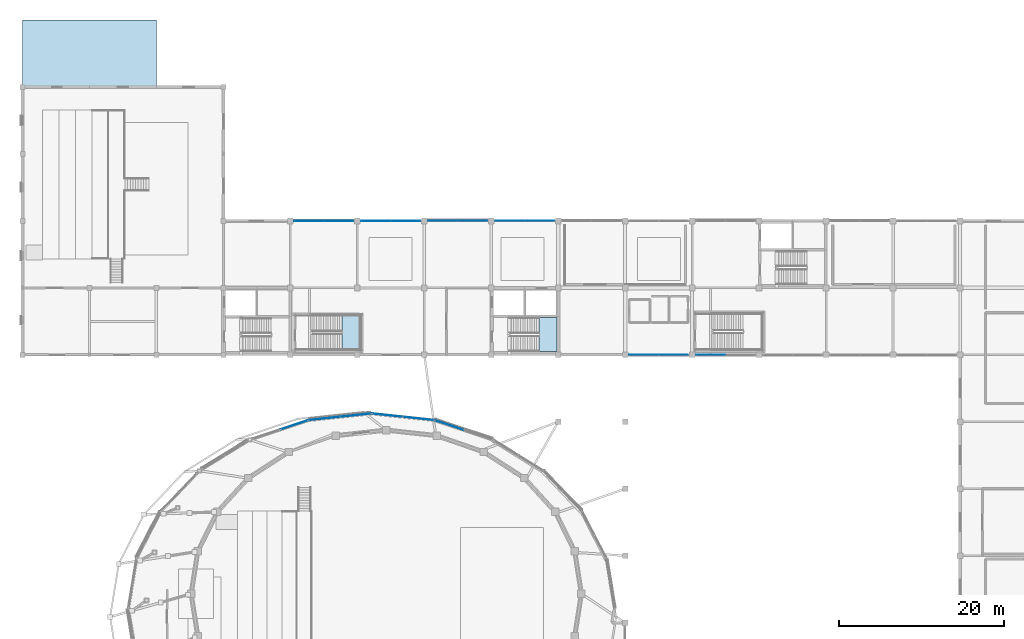
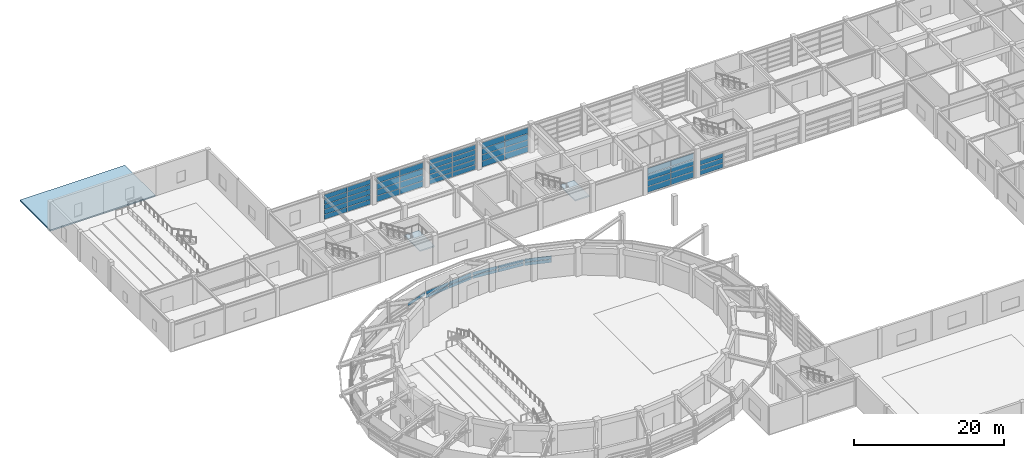
# One storey, part 33 of 56: 58 plates, 3 slabs, 12 elements without a shape of their own.
"""IFC4 building model written with IfcOpenShell, lengths in metres."""

import ifcopenshell
import ifcopenshell.guid

model = None  # the IFC model being written
_history = None  # IfcOwnerHistory: only IFC2X3 demands one
_inside = {}  # id of a spatial element -> (the spatial element, [elements in it])
_under = {}  # id of a project, library or spatial element -> (it, [spatial elements below it])
_declared = {}  # id of a project -> (the project, [libraries it declares])
_typed = {}  # id of a type object -> (the type object, [elements of that type])
_made_of = {}  # id of a material, layer set ... -> (it, [elements and type objects made of it])


def new_model(schema):
    """Start an empty IFC model of exactly this schema.

    Asked for "IFC4X3", IfcOpenShell would pick the latest addendum, in which some entities
    have other attributes; the version numbers below select the first issue.
    IFC2X3 requires an IfcOwnerHistory on every rooted entity: one is made here for all.
    """
    global model, _history
    if schema == "IFC4X3":
        model = ifcopenshell.file(schema_version=(4, 3, 0, 0))
    else:
        model = ifcopenshell.file(schema=schema)
    _inside.clear()
    _under.clear()
    _declared.clear()
    _typed.clear()
    _made_of.clear()
    _history = None
    if model.schema == "IFC2X3":
        org = make("IfcOrganization", Name="unknown")
        user = make(
            "IfcPersonAndOrganization",
            ThePerson=make("IfcPerson", FamilyName="unknown"),
            TheOrganization=org,
        )
        app = make(
            "IfcApplication",
            ApplicationDeveloper=org,
            Version="unknown",
            ApplicationFullName="unknown",
            ApplicationIdentifier="unknown",
        )
        _history = make(
            "IfcOwnerHistory",
            OwningUser=user,
            OwningApplication=app,
            ChangeAction="ADDED",
            CreationDate=0,
        )
    return model


def make(cls, **values):
    """One entity of the class cls with the attributes given. An attribute that is None is left unset."""
    return model.create_entity(
        cls, **{name: value for name, value in values.items() if value is not None}
    )


def rooted(cls, **values):
    """An entity with a GlobalId (a new one), such as an element, a storey or a relation."""
    return make(cls, GlobalId=ifcopenshell.guid.new(), OwnerHistory=_history, **values)


def si_unit(unit_type, name, prefix=None):
    """IfcSIUnit, for example si_unit("LENGTHUNIT", "METRE", prefix="MILLI")."""
    return make("IfcSIUnit", UnitType=unit_type, Prefix=prefix, Name=name)


def assignment(units):
    """IfcUnitAssignment: the units of a project."""
    return None if units is None else make("IfcUnitAssignment", Units=units)


def point(xyz):
    """IfcCartesianPoint."""
    return None if xyz is None else make("IfcCartesianPoint", Coordinates=xyz)


def direction(xyz):
    """IfcDirection."""
    return None if xyz is None else make("IfcDirection", DirectionRatios=xyz)


def frame(location, z_axis=None, x_axis=None):
    """IfcAxis2Placement3D, a coordinate frame: its origin and axes. An axis left out is left unset."""
    return make(
        "IfcAxis2Placement3D",
        Location=point(location),
        Axis=direction(z_axis),
        RefDirection=direction(x_axis),
    )


def frame_2d(location, x_axis=None):
    """IfcAxis2Placement2D, a coordinate frame in the plane: its origin and x axis."""
    return make(
        "IfcAxis2Placement2D", Location=point(location), RefDirection=direction(x_axis)
    )


def origin():
    """The frame at (0, 0, 0) with its axes left unset."""
    return frame((0.0, 0.0, 0.0))


def origin_2d():
    """The frame at (0, 0) in the plane with its x axis left unset."""
    return frame_2d((0.0, 0.0))


def place(relative_to, where):
    """IfcLocalPlacement: puts the frame where relative to a parent placement (None: the world)."""
    return make(
        "IfcLocalPlacement", PlacementRelTo=relative_to, RelativePlacement=where
    )


def context(
    kind, dimensions, precision=None, world=None, true_north=None, identifier=None
):
    """IfcGeometricRepresentationContext, for example the 3D "Model" context."""
    return make(
        "IfcGeometricRepresentationContext",
        ContextIdentifier=identifier,
        ContextType=kind,
        CoordinateSpaceDimension=dimensions,
        Precision=precision,
        WorldCoordinateSystem=world,
        TrueNorth=true_north,
    )


def subcontext(parent, identifier, kind, view, scale=None):
    """IfcGeometricRepresentationSubContext, for example "Body" below "Model"."""
    return make(
        "IfcGeometricRepresentationSubContext",
        ContextIdentifier=identifier,
        ContextType=kind,
        ParentContext=parent,
        TargetScale=scale,
        TargetView=view,
    )


def project(units=None, contexts=None):
    """IfcProject with its units and contexts."""
    return rooted(
        "IfcProject",
        Name="project",
        RepresentationContexts=contexts,
        UnitsInContext=assignment(units),
    )


def spatial(cls, under=None, at=None, **own):
    """A site, building, storey or space (cls), placed at a placement, below another one or the project."""
    s = rooted(cls, ObjectPlacement=at, **own)
    if under is not None:
        _under.setdefault(under.id(), (under, []))[1].append(s)
    return s


def polyline(points):
    """IfcPolyline through the points."""
    return make("IfcPolyline", Points=[point(p) for p in points])


def profile(cls, at=None, kind="AREA", **sizes):
    """A parametric profile (cls). Its sizes go by their IFC names, for example OverallWidth=200.0."""
    return make(cls, ProfileType=kind, Position=at, **sizes)


def rectangle(**sizes):
    """IfcRectangleProfileDef."""
    return profile("IfcRectangleProfileDef", **sizes)


def outline(outer, holes=None, kind="AREA"):
    """IfcArbitraryClosedProfileDef: a profile drawn as a closed curve; with holes, ...WithVoids."""
    if holes is None:
        return make("IfcArbitraryClosedProfileDef", ProfileType=kind, OuterCurve=outer)
    return make(
        "IfcArbitraryProfileDefWithVoids",
        ProfileType=kind,
        OuterCurve=outer,
        InnerCurves=holes,
    )


def extrude(swept, where, along, depth):
    """IfcExtrudedAreaSolid: the profile swept, set in the frame where, extruded along a direction by depth."""
    return make(
        "IfcExtrudedAreaSolid",
        SweptArea=swept,
        Position=where,
        ExtrudedDirection=direction(along),
        Depth=depth,
    )


def shape(context_of_items, identifier, shape_type, items):
    """IfcShapeRepresentation: the items that make up one representation, for example the "Body"."""
    return make(
        "IfcShapeRepresentation",
        ContextOfItems=context_of_items,
        RepresentationIdentifier=identifier,
        RepresentationType=shape_type,
        Items=items,
    )


def material(Name=None, Category=None):
    """IfcMaterial."""
    return make("IfcMaterial", Name=Name, Category=Category)


def layer(
    of_material, thickness, ventilated=None, Name=None, Category=None, Priority=None
):
    """IfcMaterialLayer: one layer of a wall or slab, of a material (None: an air gap)."""
    return make(
        "IfcMaterialLayer",
        Material=of_material,
        LayerThickness=thickness,
        IsVentilated=ventilated,
        Name=Name,
        Category=Category,
        Priority=Priority,
    )


def layer_set(layers, Name=None):
    """IfcMaterialLayerSet."""
    return make("IfcMaterialLayerSet", MaterialLayers=layers, LayerSetName=Name)


def made_of(thing, what):
    """Note that an element or type object is made of a material, layer set ...; save() writes the relation."""
    if what is not None:
        _made_of.setdefault(what.id(), (what, []))[1].append(thing)
    return thing


def type_object(cls, material=None, **own):
    """A type object (cls), such as IfcWallType, which elements share."""
    return made_of(rooted(cls, **own), material)


def element(
    cls,
    number,
    at=None,
    inside=None,
    cuts=None,
    type_object=None,
    material=None,
    context=None,
    identifier="Body",
    shape_type=None,
    held_by="IfcProductDefinitionShape",
    body=None,
    shapes=None,
    **own,
):
    """One element of the class cls, such as IfcWall. Its Tag is "e" and its number.

    at: its placement. inside: the storey or other place that contains it. cuts: it is an
    opening in that element (IfcRelVoidsElement). A single representation is given by context,
    identifier, shape_type and body (its items); several are given by shapes. held_by: the class
    of the entity that holds the representations. save() writes the other relations.
    """
    e = rooted(cls, Tag="e%d" % number, ObjectPlacement=at, **own)
    if body is not None:
        shapes = [shape(context, identifier, shape_type, body)]
    if shapes is not None:
        e.Representation = make(held_by, Representations=shapes)
    if inside is not None:
        _inside.setdefault(inside.id(), (inside, []))[1].append(e)
    if cuts is not None:
        rooted(
            "IfcRelVoidsElement", RelatingBuildingElement=cuts, RelatedOpeningElement=e
        )
    if type_object is not None:
        _typed.setdefault(type_object.id(), (type_object, []))[1].append(e)
    return made_of(e, material)


def aggregate(whole, parts):
    """IfcRelAggregates: a whole, such as a stair, and the parts it consists of."""
    return rooted("IfcRelAggregates", RelatingObject=whole, RelatedObjects=parts)


def save(model, path):
    """Write the relations noted so far, then the file.

    IfcRelAggregates (storeys below a building ...), IfcRelContainedInSpatialStructure (elements
    in a storey), IfcRelDefinesByType, IfcRelAssociatesMaterial and IfcRelDeclares: one each for
    every whole, place, type object, material and project.
    """
    for whole, parts in _under.values():
        aggregate(whole, parts)
    for where, things in _inside.values():
        rooted(
            "IfcRelContainedInSpatialStructure",
            RelatedElements=things,
            RelatingStructure=where,
        )
    for kind, things in _typed.values():
        rooted("IfcRelDefinesByType", RelatedObjects=things, RelatingType=kind)
    for what, things in _made_of.values():
        rooted("IfcRelAssociatesMaterial", RelatedObjects=things, RelatingMaterial=what)
    for by, libraries in _declared.values():
        rooted("IfcRelDeclares", RelatingContext=by, RelatedDefinitions=libraries)
    model.write(path)


model = new_model("IFC4")

# Units and contexts
model_context = context("Model", 3, precision=1e-05, world=origin(), true_north=direction((0.0, 1.0)))
body_context = subcontext(model_context, "Body", "Model", "MODEL_VIEW")
ifc_project = project(units=[si_unit("LENGTHUNIT", "METRE"), si_unit("AREAUNIT", "SQUARE_METRE"), si_unit("VOLUMEUNIT", "CUBIC_METRE"), si_unit("PLANEANGLEUNIT", "RADIAN"), si_unit("MASSUNIT", "GRAM", prefix="KILO")], contexts=[model_context])

# Site, building, storey
site_placement = place(None, origin())
site = spatial("IfcSite", under=ifc_project, at=site_placement, CompositionType="ELEMENT")
building_placement = place(site_placement, origin())
building = spatial("IfcBuilding", under=site, at=building_placement, Name="Parian Resonance Hall", CompositionType="ELEMENT")
storey_placement = place(building_placement, frame((0.0, 0.0, 5.39990234375)))
storey = spatial("IfcBuildingStorey", under=building, at=storey_placement, Name="L01", CompositionType="ELEMENT", Elevation=5.39990234375)

# Curtain wall, plates
ifc_material_1 = material(Name="Bronze-anodised aluminium frame", Category="aluminium")
curtain_wall_type_1 = type_object("IfcCurtainWallType", Name="CW-SYS-06", PredefinedType="NOTDEFINED", material=ifc_material_1)
curtain_wall_1_placement = place(storey_placement, origin())
curtain_wall_1 = element("IfcCurtainWall", 1, at=curtain_wall_1_placement, inside=storey, type_object=curtain_wall_type_1, Name="Elliptical R1 recessed strip curtain wall 06", PredefinedType="NOTDEFINED")
ifc_material_2 = material(Name="Acoustic laminated double glazing", Category="glass")
ifc_layer_1 = layer(ifc_material_2, 0.02197265625)
ifc_layer_set_1 = layer_set([ifc_layer_1], Name="Acoustic laminated double glazing")
plate_type_1 = type_object("IfcPlateType", Name="CWP-IGU22", PredefinedType="CURTAIN_PANEL", material=ifc_layer_set_1)
plate_1_placement = place(storey_placement, frame((44.120849609375, 65.596923828125, 1.217041015625), z_axis=(0.0, 0.0, 1.0), x_axis=(0.994461539769, -0.105101122357, 0.0)))
plate_1 = element("IfcPlate", 2, at=plate_1_placement, type_object=plate_type_1, Name="CW-06 panel 1.1", PredefinedType="CURTAIN_PANEL", context=body_context, shape_type="SweptSolid", body=[
    extrude(rectangle(XDim=3.71337890625, YDim=0.02197265625, at=origin_2d()), origin(), (0.0, 0.0, 1.0), 0.49560546875),
])
plate_2_placement = place(storey_placement, frame((44.120849609375, 65.596923828125, 1.78759765625), z_axis=(0.0, 0.0, 1.0), x_axis=(0.994461539769, -0.105101122357, 0.0)))
plate_2 = element("IfcPlate", 3, at=plate_2_placement, type_object=plate_type_1, Name="CW-06 panel 1.2", PredefinedType="CURTAIN_PANEL", context=body_context, shape_type="SweptSolid", body=[
    extrude(rectangle(XDim=3.71337890625, YDim=0.02197265625, at=origin_2d()), origin(), (0.0, 0.0, 1.0), 0.49755859375),
])
plate_3_placement = place(storey_placement, frame((47.888427734375, 65.19873046875, 1.217041015625), z_axis=(0.0, 0.0, 1.0), x_axis=(0.994461539769, -0.105101122357, 0.0)))
plate_3 = element("IfcPlate", 4, at=plate_3_placement, type_object=plate_type_1, Name="CW-06 panel 2.1", PredefinedType="CURTAIN_PANEL", context=body_context, shape_type="SweptSolid", body=[
    extrude(rectangle(XDim=3.71337890625, YDim=0.02197265625, at=origin_2d()), origin(), (0.0, 0.0, 1.0), 0.49560546875),
])
plate_4_placement = place(storey_placement, frame((47.888427734375, 65.19873046875, 1.78759765625), z_axis=(0.0, 0.0, 1.0), x_axis=(0.994461539769, -0.105101122357, 0.0)))
plate_4 = element("IfcPlate", 5, at=plate_4_placement, type_object=plate_type_1, Name="CW-06 panel 2.2", PredefinedType="CURTAIN_PANEL", context=body_context, shape_type="SweptSolid", body=[
    extrude(rectangle(XDim=3.71337890625, YDim=0.02197265625, at=origin_2d()), origin(), (0.0, 0.0, 1.0), 0.49755859375),
])
aggregate(curtain_wall_1, [plate_1, plate_2, plate_3, plate_4])

ifc_material_3 = material(Name="Bronze-anodised aluminium frame", Category="aluminium")
curtain_wall_type_2 = type_object("IfcCurtainWallType", Name="CW-SYS-02", PredefinedType="NOTDEFINED", material=ifc_material_3)
curtain_wall_2_placement = place(storey_placement, origin())
curtain_wall_2 = element("IfcCurtainWall", 6, at=curtain_wall_2_placement, inside=storey, type_object=curtain_wall_type_2, Name="Curtain wall CW-L01-084", PredefinedType="NOTDEFINED")
plate_5_placement = place(storey_placement, frame((50.858642578125, 89.10009765625, 0.06689453125), z_axis=(0.0, 0.0, 1.0), x_axis=(1.0, 0.0, 0.0)))
plate_5 = element("IfcPlate", 7, at=plate_5_placement, type_object=plate_type_1, Name="CW-02 panel 1.1", PredefinedType="CURTAIN_PANEL", context=body_context, shape_type="SweptSolid", body=[
    extrude(rectangle(XDim=3.507568359375, YDim=0.02197265625, at=origin_2d()), origin(), (0.0, 0.0, 1.0), 0.722900390625),
])
plate_6_placement = place(storey_placement, frame((50.858642578125, 89.10009765625, 0.864990234375), z_axis=(0.0, 0.0, 1.0), x_axis=(1.0, 0.0, 0.0)))
plate_6 = element("IfcPlate", 8, at=plate_6_placement, type_object=plate_type_1, Name="CW-02 panel 1.2", PredefinedType="CURTAIN_PANEL", context=body_context, shape_type="SweptSolid", body=[
    extrude(rectangle(XDim=3.507568359375, YDim=0.02197265625, at=origin_2d()), origin(), (0.0, 0.0, 1.0), 0.75244140625),
])
plate_7_placement = place(storey_placement, frame((50.858642578125, 89.10009765625, 1.6923828125), z_axis=(0.0, 0.0, 1.0), x_axis=(1.0, 0.0, 0.0)))
plate_7 = element("IfcPlate", 9, at=plate_7_placement, type_object=plate_type_1, Name="CW-02 panel 1.3", PredefinedType="CURTAIN_PANEL", context=body_context, shape_type="SweptSolid", body=[
    extrude(rectangle(XDim=3.507568359375, YDim=0.02197265625, at=origin_2d()), origin(), (0.0, 0.0, 1.0), 0.75244140625),
])
plate_8_placement = place(storey_placement, frame((50.858642578125, 89.10009765625, 2.519775390625), z_axis=(0.0, 0.0, 1.0), x_axis=(1.0, 0.0, 0.0)))
plate_8 = element("IfcPlate", 10, at=plate_8_placement, type_object=plate_type_1, Name="CW-02 panel 1.4", PredefinedType="CURTAIN_PANEL", context=body_context, shape_type="SweptSolid", body=[
    extrude(rectangle(XDim=3.507568359375, YDim=0.02197265625, at=origin_2d()), origin(), (0.0, 0.0, 1.0), 0.75244140625),
])
plate_9_placement = place(storey_placement, frame((50.858642578125, 89.10009765625, 3.34716796875), z_axis=(0.0, 0.0, 1.0), x_axis=(1.0, 0.0, 0.0)))
plate_9 = element("IfcPlate", 11, at=plate_9_placement, type_object=plate_type_1, Name="CW-02 panel 1.5", PredefinedType="CURTAIN_PANEL", context=body_context, shape_type="SweptSolid", body=[
    extrude(rectangle(XDim=3.507568359375, YDim=0.02197265625, at=origin_2d()), origin(), (0.0, 0.0, 1.0), 0.724853515625),
])
plate_10_placement = place(storey_placement, frame((54.441162109375, 89.10009765625, 0.06689453125), z_axis=(0.0, 0.0, 1.0), x_axis=(1.0, 0.0, 0.0)))
plate_10 = element("IfcPlate", 12, at=plate_10_placement, type_object=plate_type_1, Name="CW-02 panel 2.1", PredefinedType="CURTAIN_PANEL", context=body_context, shape_type="SweptSolid", body=[
    extrude(rectangle(XDim=3.507568359375, YDim=0.02197265625, at=origin_2d()), origin(), (0.0, 0.0, 1.0), 0.722900390625),
])
plate_11_placement = place(storey_placement, frame((54.441162109375, 89.10009765625, 0.864990234375), z_axis=(0.0, 0.0, 1.0), x_axis=(1.0, 0.0, 0.0)))
plate_11 = element("IfcPlate", 13, at=plate_11_placement, type_object=plate_type_1, Name="CW-02 panel 2.2", PredefinedType="CURTAIN_PANEL", context=body_context, shape_type="SweptSolid", body=[
    extrude(rectangle(XDim=3.507568359375, YDim=0.02197265625, at=origin_2d()), origin(), (0.0, 0.0, 1.0), 0.75244140625),
])
plate_12_placement = place(storey_placement, frame((54.441162109375, 89.10009765625, 1.6923828125), z_axis=(0.0, 0.0, 1.0), x_axis=(1.0, 0.0, 0.0)))
plate_12 = element("IfcPlate", 14, at=plate_12_placement, type_object=plate_type_1, Name="CW-02 panel 2.3", PredefinedType="CURTAIN_PANEL", context=body_context, shape_type="SweptSolid", body=[
    extrude(rectangle(XDim=3.507568359375, YDim=0.02197265625, at=origin_2d()), origin(), (0.0, 0.0, 1.0), 0.75244140625),
])
plate_13_placement = place(storey_placement, frame((54.441162109375, 89.10009765625, 2.519775390625), z_axis=(0.0, 0.0, 1.0), x_axis=(1.0, 0.0, 0.0)))
plate_13 = element("IfcPlate", 15, at=plate_13_placement, type_object=plate_type_1, Name="CW-02 panel 2.4", PredefinedType="CURTAIN_PANEL", context=body_context, shape_type="SweptSolid", body=[
    extrude(rectangle(XDim=3.507568359375, YDim=0.02197265625, at=origin_2d()), origin(), (0.0, 0.0, 1.0), 0.75244140625),
])
plate_14_placement = place(storey_placement, frame((54.441162109375, 89.10009765625, 3.34716796875), z_axis=(0.0, 0.0, 1.0), x_axis=(1.0, 0.0, 0.0)))
plate_14 = element("IfcPlate", 16, at=plate_14_placement, type_object=plate_type_1, Name="CW-02 panel 2.5", PredefinedType="CURTAIN_PANEL", context=body_context, shape_type="SweptSolid", body=[
    extrude(rectangle(XDim=3.507568359375, YDim=0.02197265625, at=origin_2d()), origin(), (0.0, 0.0, 1.0), 0.724853515625),
])
aggregate(curtain_wall_2, [plate_5, plate_6, plate_7, plate_8, plate_9, plate_10, plate_11, plate_12, plate_13, plate_14])

ifc_material_4 = material(Name="Bronze-anodised aluminium frame", Category="aluminium")
curtain_wall_type_3 = type_object("IfcCurtainWallType", Name="CW-SYS-03", PredefinedType="NOTDEFINED", material=ifc_material_4)
curtain_wall_3_placement = place(storey_placement, origin())
curtain_wall_3 = element("IfcCurtainWall", 17, at=curtain_wall_3_placement, inside=storey, type_object=curtain_wall_type_3, Name="Curtain wall CW-L01-087", PredefinedType="NOTDEFINED")
plate_15_placement = place(storey_placement, frame((58.956298828125, 89.10009765625, 0.05712890625), z_axis=(0.0, 0.0, 1.0), x_axis=(1.0, 0.0, 0.0)))
plate_15 = element("IfcPlate", 18, at=plate_15_placement, type_object=plate_type_1, Name="CW-03 panel 1.1", PredefinedType="CURTAIN_PANEL", context=body_context, shape_type="SweptSolid", body=[
    extrude(rectangle(XDim=3.5224609375, YDim=0.02197265625, at=origin_2d()), origin(), (0.0, 0.0, 1.0), 0.931884765625),
])
plate_16_placement = place(storey_placement, frame((58.956298828125, 89.10009765625, 1.0537109375), z_axis=(0.0, 0.0, 1.0), x_axis=(1.0, 0.0, 0.0)))
plate_16 = element("IfcPlate", 19, at=plate_16_placement, type_object=plate_type_1, Name="CW-03 panel 1.2", PredefinedType="CURTAIN_PANEL", context=body_context, shape_type="SweptSolid", body=[
    extrude(rectangle(XDim=3.5224609375, YDim=0.02197265625, at=origin_2d()), origin(), (0.0, 0.0, 1.0), 0.956298828125),
])
plate_17_placement = place(storey_placement, frame((58.956298828125, 89.10009765625, 2.0751953125), z_axis=(0.0, 0.0, 1.0), x_axis=(1.0, 0.0, 0.0)))
plate_17 = element("IfcPlate", 20, at=plate_17_placement, type_object=plate_type_1, Name="CW-03 panel 1.3", PredefinedType="CURTAIN_PANEL", context=body_context, shape_type="SweptSolid", body=[
    extrude(rectangle(XDim=3.5224609375, YDim=0.02197265625, at=origin_2d()), origin(), (0.0, 0.0, 1.0), 0.956298828125),
])
plate_18_placement = place(storey_placement, frame((58.956298828125, 89.10009765625, 3.09619140625), z_axis=(0.0, 0.0, 1.0), x_axis=(1.0, 0.0, 0.0)))
plate_18 = element("IfcPlate", 21, at=plate_18_placement, type_object=plate_type_1, Name="CW-03 panel 1.4", PredefinedType="CURTAIN_PANEL", context=body_context, shape_type="SweptSolid", body=[
    extrude(rectangle(XDim=3.5224609375, YDim=0.02197265625, at=origin_2d()), origin(), (0.0, 0.0, 1.0), 0.933837890625),
])
plate_19_placement = place(storey_placement, frame((62.543701171875, 89.10009765625, 0.05712890625), z_axis=(0.0, 0.0, 1.0), x_axis=(1.0, 0.0, 0.0)))
plate_19 = element("IfcPlate", 22, at=plate_19_placement, type_object=plate_type_1, Name="CW-03 panel 2.1", PredefinedType="CURTAIN_PANEL", context=body_context, shape_type="SweptSolid", body=[
    extrude(rectangle(XDim=3.5224609375, YDim=0.02197265625, at=origin_2d()), origin(), (0.0, 0.0, 1.0), 0.931884765625),
])
plate_20_placement = place(storey_placement, frame((62.543701171875, 89.10009765625, 1.0537109375), z_axis=(0.0, 0.0, 1.0), x_axis=(1.0, 0.0, 0.0)))
plate_20 = element("IfcPlate", 23, at=plate_20_placement, type_object=plate_type_1, Name="CW-03 panel 2.2", PredefinedType="CURTAIN_PANEL", context=body_context, shape_type="SweptSolid", body=[
    extrude(rectangle(XDim=3.5224609375, YDim=0.02197265625, at=origin_2d()), origin(), (0.0, 0.0, 1.0), 0.956298828125),
])
plate_21_placement = place(storey_placement, frame((62.543701171875, 89.10009765625, 2.0751953125), z_axis=(0.0, 0.0, 1.0), x_axis=(1.0, 0.0, 0.0)))
plate_21 = element("IfcPlate", 24, at=plate_21_placement, type_object=plate_type_1, Name="CW-03 panel 2.3", PredefinedType="CURTAIN_PANEL", context=body_context, shape_type="SweptSolid", body=[
    extrude(rectangle(XDim=3.5224609375, YDim=0.02197265625, at=origin_2d()), origin(), (0.0, 0.0, 1.0), 0.956298828125),
])
plate_22_placement = place(storey_placement, frame((62.543701171875, 89.10009765625, 3.09619140625), z_axis=(0.0, 0.0, 1.0), x_axis=(1.0, 0.0, 0.0)))
plate_22 = element("IfcPlate", 25, at=plate_22_placement, type_object=plate_type_1, Name="CW-03 panel 2.4", PredefinedType="CURTAIN_PANEL", context=body_context, shape_type="SweptSolid", body=[
    extrude(rectangle(XDim=3.5224609375, YDim=0.02197265625, at=origin_2d()), origin(), (0.0, 0.0, 1.0), 0.933837890625),
])
aggregate(curtain_wall_3, [plate_15, plate_16, plate_17, plate_18, plate_19, plate_20, plate_21, plate_22])

ifc_material_5 = material(Name="Bronze-anodised aluminium frame", Category="aluminium")
curtain_wall_type_4 = type_object("IfcCurtainWallType", Name="CW-SYS-01", PredefinedType="NOTDEFINED", material=ifc_material_5)
curtain_wall_4_placement = place(storey_placement, origin())
curtain_wall_4 = element("IfcCurtainWall", 26, at=curtain_wall_4_placement, inside=storey, type_object=curtain_wall_type_4, Name="Elliptical R1 recessed strip curtain wall 07", PredefinedType="NOTDEFINED")
ifc_material_6 = material(Name="Acoustic laminated double glazing", Category="glass")
ifc_layer_2 = layer(ifc_material_6, 0.031982421875)
ifc_layer_set_2 = layer_set([ifc_layer_2], Name="Acoustic laminated double glazing")
plate_type_2 = type_object("IfcPlateType", Name="CWP-IGU32", PredefinedType="CURTAIN_PANEL", material=ifc_layer_set_2)
plate_23_placement = place(storey_placement, frame((36.50927734375, 65.198486328125, 1.20703125), z_axis=(0.0, 0.0, 1.0), x_axis=(0.994461539769, 0.105101122357, 0.0)))
plate_23 = element("IfcPlate", 27, at=plate_23_placement, type_object=plate_type_2, Name="CW-01 panel 1.1", PredefinedType="CURTAIN_PANEL", context=body_context, shape_type="SweptSolid", body=[
    extrude(rectangle(XDim=3.728271484375, YDim=0.031982421875, at=origin_2d()), origin(), (0.0, 0.0, 1.0), 0.510498046875),
])
plate_24_placement = place(storey_placement, frame((36.50927734375, 65.198486328125, 1.78271484375), z_axis=(0.0, 0.0, 1.0), x_axis=(0.994461539769, 0.105101122357, 0.0)))
plate_24 = element("IfcPlate", 28, at=plate_24_placement, type_object=plate_type_2, Name="CW-01 panel 1.2", PredefinedType="CURTAIN_PANEL", context=body_context, shape_type="SweptSolid", body=[
    extrude(rectangle(XDim=3.728271484375, YDim=0.031982421875, at=origin_2d()), origin(), (0.0, 0.0, 1.0), 0.512451171875),
])
plate_25_placement = place(storey_placement, frame((40.281494140625, 65.59716796875, 1.20703125), z_axis=(0.0, 0.0, 1.0), x_axis=(0.994461539769, 0.105101122357, 0.0)))
plate_25 = element("IfcPlate", 29, at=plate_25_placement, type_object=plate_type_2, Name="CW-01 panel 2.1", PredefinedType="CURTAIN_PANEL", context=body_context, shape_type="SweptSolid", body=[
    extrude(rectangle(XDim=3.728271484375, YDim=0.031982421875, at=origin_2d()), origin(), (0.0, 0.0, 1.0), 0.510498046875),
])
plate_26_placement = place(storey_placement, frame((40.281494140625, 65.59716796875, 1.78271484375), z_axis=(0.0, 0.0, 1.0), x_axis=(0.994461539769, 0.105101122357, 0.0)))
plate_26 = element("IfcPlate", 30, at=plate_26_placement, type_object=plate_type_2, Name="CW-01 panel 2.2", PredefinedType="CURTAIN_PANEL", context=body_context, shape_type="SweptSolid", body=[
    extrude(rectangle(XDim=3.728271484375, YDim=0.031982421875, at=origin_2d()), origin(), (0.0, 0.0, 1.0), 0.512451171875),
])
aggregate(curtain_wall_4, [plate_23, plate_24, plate_25, plate_26])

curtain_wall_5_placement = place(storey_placement, origin())
curtain_wall_5 = element("IfcCurtainWall", 31, at=curtain_wall_5_placement, inside=storey, type_object=curtain_wall_type_1, Name="Curtain wall CW-L01-106", PredefinedType="NOTDEFINED")
plate_27_placement = place(storey_placement, frame((78.7412109375, 72.89990234375, 0.06689453125), z_axis=(0.0, 0.0, 1.0), x_axis=(-1.0, 0.0, 0.0)))
plate_27 = element("IfcPlate", 32, at=plate_27_placement, type_object=plate_type_2, Name="CW-06 panel 1.1", PredefinedType="CURTAIN_PANEL", context=body_context, shape_type="SweptSolid", body=[
    extrude(rectangle(XDim=3.507568359375, YDim=0.031982421875, at=origin_2d()), origin(), (0.0, 0.0, 1.0), 0.916748046875),
])
plate_28_placement = place(storey_placement, frame((78.7412109375, 72.89990234375, 1.058837890625), z_axis=(0.0, 0.0, 1.0), x_axis=(-1.0, 0.0, 0.0)))
plate_28 = element("IfcPlate", 33, at=plate_28_placement, type_object=plate_type_2, Name="CW-06 panel 1.2", PredefinedType="CURTAIN_PANEL", context=body_context, shape_type="SweptSolid", body=[
    extrude(rectangle(XDim=3.507568359375, YDim=0.031982421875, at=origin_2d()), origin(), (0.0, 0.0, 1.0), 0.9462890625),
])
plate_29_placement = place(storey_placement, frame((78.7412109375, 72.89990234375, 2.080078125), z_axis=(0.0, 0.0, 1.0), x_axis=(-1.0, 0.0, 0.0)))
plate_29 = element("IfcPlate", 34, at=plate_29_placement, type_object=plate_type_2, Name="CW-06 panel 1.3", PredefinedType="CURTAIN_PANEL", context=body_context, shape_type="SweptSolid", body=[
    extrude(rectangle(XDim=3.507568359375, YDim=0.031982421875, at=origin_2d()), origin(), (0.0, 0.0, 1.0), 0.9462890625),
])
plate_30_placement = place(storey_placement, frame((78.7412109375, 72.89990234375, 3.1015625), z_axis=(0.0, 0.0, 1.0), x_axis=(-1.0, 0.0, 0.0)))
plate_30 = element("IfcPlate", 35, at=plate_30_placement, type_object=plate_type_2, Name="CW-06 panel 1.4", PredefinedType="CURTAIN_PANEL", context=body_context, shape_type="SweptSolid", body=[
    extrude(rectangle(XDim=3.507568359375, YDim=0.031982421875, at=origin_2d()), origin(), (0.0, 0.0, 1.0), 0.918701171875),
])
plate_31_placement = place(storey_placement, frame((75.15869140625, 72.89990234375, 0.06689453125), z_axis=(0.0, 0.0, 1.0), x_axis=(-1.0, 0.0, 0.0)))
plate_31 = element("IfcPlate", 36, at=plate_31_placement, type_object=plate_type_2, Name="CW-06 panel 2.1", PredefinedType="CURTAIN_PANEL", context=body_context, shape_type="SweptSolid", body=[
    extrude(rectangle(XDim=3.507568359375, YDim=0.031982421875, at=origin_2d()), origin(), (0.0, 0.0, 1.0), 0.916748046875),
])
plate_32_placement = place(storey_placement, frame((75.15869140625, 72.89990234375, 1.058837890625), z_axis=(0.0, 0.0, 1.0), x_axis=(-1.0, 0.0, 0.0)))
plate_32 = element("IfcPlate", 37, at=plate_32_placement, type_object=plate_type_2, Name="CW-06 panel 2.2", PredefinedType="CURTAIN_PANEL", context=body_context, shape_type="SweptSolid", body=[
    extrude(rectangle(XDim=3.507568359375, YDim=0.031982421875, at=origin_2d()), origin(), (0.0, 0.0, 1.0), 0.9462890625),
])
plate_33_placement = place(storey_placement, frame((75.15869140625, 72.89990234375, 2.080078125), z_axis=(0.0, 0.0, 1.0), x_axis=(-1.0, 0.0, 0.0)))
plate_33 = element("IfcPlate", 38, at=plate_33_placement, type_object=plate_type_2, Name="CW-06 panel 2.3", PredefinedType="CURTAIN_PANEL", context=body_context, shape_type="SweptSolid", body=[
    extrude(rectangle(XDim=3.507568359375, YDim=0.031982421875, at=origin_2d()), origin(), (0.0, 0.0, 1.0), 0.9462890625),
])
plate_34_placement = place(storey_placement, frame((75.15869140625, 72.89990234375, 3.1015625), z_axis=(0.0, 0.0, 1.0), x_axis=(-1.0, 0.0, 0.0)))
plate_34 = element("IfcPlate", 39, at=plate_34_placement, type_object=plate_type_2, Name="CW-06 panel 2.4", PredefinedType="CURTAIN_PANEL", context=body_context, shape_type="SweptSolid", body=[
    extrude(rectangle(XDim=3.507568359375, YDim=0.031982421875, at=origin_2d()), origin(), (0.0, 0.0, 1.0), 0.918701171875),
])
aggregate(curtain_wall_5, [plate_27, plate_28, plate_29, plate_30, plate_31, plate_32, plate_33, plate_34])

curtain_wall_6_placement = place(storey_placement, origin())
curtain_wall_6 = element("IfcCurtainWall", 40, at=curtain_wall_6_placement, inside=storey, type_object=curtain_wall_type_4, Name="Curtain wall CW-L01-112", PredefinedType="NOTDEFINED")
plate_35_placement = place(storey_placement, frame((83.2587890625, 72.89990234375, 0.06689453125), z_axis=(0.0, 0.0, 1.0), x_axis=(-1.0, 0.0, 0.0)))
plate_35 = element("IfcPlate", 41, at=plate_35_placement, type_object=plate_type_2, Name="CW-01 panel 2.1", PredefinedType="CURTAIN_PANEL", context=body_context, shape_type="SweptSolid", body=[
    extrude(rectangle(XDim=3.507568359375, YDim=0.031982421875, at=origin_2d()), origin(), (0.0, 0.0, 1.0), 0.722900390625),
])
plate_36_placement = place(storey_placement, frame((83.2587890625, 72.89990234375, 0.864990234375), z_axis=(0.0, 0.0, 1.0), x_axis=(-1.0, 0.0, 0.0)))
plate_36 = element("IfcPlate", 42, at=plate_36_placement, type_object=plate_type_2, Name="CW-01 panel 2.2", PredefinedType="CURTAIN_PANEL", context=body_context, shape_type="SweptSolid", body=[
    extrude(rectangle(XDim=3.507568359375, YDim=0.031982421875, at=origin_2d()), origin(), (0.0, 0.0, 1.0), 0.75244140625),
])
plate_37_placement = place(storey_placement, frame((83.2587890625, 72.89990234375, 1.6923828125), z_axis=(0.0, 0.0, 1.0), x_axis=(-1.0, 0.0, 0.0)))
plate_37 = element("IfcPlate", 43, at=plate_37_placement, type_object=plate_type_2, Name="CW-01 panel 2.3", PredefinedType="CURTAIN_PANEL", context=body_context, shape_type="SweptSolid", body=[
    extrude(rectangle(XDim=3.507568359375, YDim=0.031982421875, at=origin_2d()), origin(), (0.0, 0.0, 1.0), 0.75244140625),
])
aggregate(curtain_wall_6, [plate_35, plate_36, plate_37])

ifc_material_7 = material(Name="Bronze-anodised aluminium frame", Category="aluminium")
curtain_wall_type_5 = type_object("IfcCurtainWallType", Name="CW-SYS-05", PredefinedType="NOTDEFINED", material=ifc_material_7)
curtain_wall_7_placement = place(storey_placement, origin())
curtain_wall_7 = element("IfcCurtainWall", 44, at=curtain_wall_7_placement, inside=storey, type_object=curtain_wall_type_5, Name="Elliptical R1 recessed strip curtain wall 05", PredefinedType="NOTDEFINED")
ifc_material_8 = material(Name="Acoustic laminated double glazing", Category="glass")
ifc_layer_3 = layer(ifc_material_8, 0.0419921875)
ifc_layer_set_3 = layer_set([ifc_layer_3], Name="Acoustic laminated double glazing")
plate_type_3 = type_object("IfcPlateType", Name="CWP-IGU42", PredefinedType="CURTAIN_PANEL", material=ifc_layer_set_3)
plate_38_placement = place(storey_placement, frame((51.597412109375, 64.4013671875, 1.20703125), z_axis=(0.0, 0.0, 1.0), x_axis=(0.948922575043, -0.315509027722, 0.0)))
plate_38 = element("IfcPlate", 45, at=plate_38_placement, type_object=plate_type_3, Name="CW-05 panel 1.1", PredefinedType="CURTAIN_PANEL", context=body_context, shape_type="SweptSolid", body=[
    extrude(rectangle(XDim=3.638671875, YDim=0.0419921875, at=origin_2d()), origin(), (0.0, 0.0, 1.0), 0.510498046875),
])
plate_39_placement = place(storey_placement, frame((51.597412109375, 64.4013671875, 1.78271484375), z_axis=(0.0, 0.0, 1.0), x_axis=(0.948922575043, -0.315509027722, 0.0)))
plate_39 = element("IfcPlate", 46, at=plate_39_placement, type_object=plate_type_3, Name="CW-05 panel 1.2", PredefinedType="CURTAIN_PANEL", context=body_context, shape_type="SweptSolid", body=[
    extrude(rectangle(XDim=3.638671875, YDim=0.0419921875, at=origin_2d()), origin(), (0.0, 0.0, 1.0), 0.512451171875),
])
aggregate(curtain_wall_7, [plate_38, plate_39])

# Curtain wall, plate
curtain_wall_8_placement = place(storey_placement, origin())
curtain_wall_8 = element("IfcCurtainWall", 47, at=curtain_wall_8_placement, inside=storey, type_object=curtain_wall_type_2, Name="Elliptical R1 recessed strip curtain wall 08", PredefinedType="NOTDEFINED")
plate_40_placement = place(storey_placement, frame((32.87744140625, 64.426025390625, 1.78759765625), z_axis=(0.0, 0.0, 1.0), x_axis=(0.948923675154, 0.315505719015, 0.0)))
plate_40 = element("IfcPlate", 48, at=plate_40_placement, type_object=plate_type_3, Name="CW-02 panel 2.2", PredefinedType="CURTAIN_PANEL", context=body_context, shape_type="SweptSolid", body=[
    extrude(rectangle(XDim=3.461181640625, YDim=0.0419921875, at=origin_2d()), origin(), (0.0, 0.0, 1.0), 0.49755859375),
])
aggregate(curtain_wall_8, [plate_40])

# Curtain wall, plates
curtain_wall_9_placement = place(storey_placement, origin())
curtain_wall_9 = element("IfcCurtainWall", 49, at=curtain_wall_9_placement, inside=storey, type_object=curtain_wall_type_1, Name="Curtain wall CW-L01-077", PredefinedType="NOTDEFINED")
plate_41_placement = place(storey_placement, frame((34.65625, 89.10009765625, 0.05712890625), z_axis=(0.0, 0.0, 1.0), x_axis=(1.0, 0.0, 0.0)))
plate_41 = element("IfcPlate", 50, at=plate_41_placement, type_object=plate_type_3, Name="CW-06 panel 1.1", PredefinedType="CURTAIN_PANEL", context=body_context, shape_type="SweptSolid", body=[
    extrude(rectangle(XDim=3.5224609375, YDim=0.0419921875, at=origin_2d()), origin(), (0.0, 0.0, 1.0), 0.73779296875),
])
plate_42_placement = place(storey_placement, frame((34.65625, 89.10009765625, 0.85986328125), z_axis=(0.0, 0.0, 1.0), x_axis=(1.0, 0.0, 0.0)))
plate_42 = element("IfcPlate", 51, at=plate_42_placement, type_object=plate_type_3, Name="CW-06 panel 1.2", PredefinedType="CURTAIN_PANEL", context=body_context, shape_type="SweptSolid", body=[
    extrude(rectangle(XDim=3.5224609375, YDim=0.0419921875, at=origin_2d()), origin(), (0.0, 0.0, 1.0), 0.762451171875),
])
plate_43_placement = place(storey_placement, frame((34.65625, 89.10009765625, 1.6875), z_axis=(0.0, 0.0, 1.0), x_axis=(1.0, 0.0, 0.0)))
plate_43 = element("IfcPlate", 52, at=plate_43_placement, type_object=plate_type_3, Name="CW-06 panel 1.3", PredefinedType="CURTAIN_PANEL", context=body_context, shape_type="SweptSolid", body=[
    extrude(rectangle(XDim=3.5224609375, YDim=0.0419921875, at=origin_2d()), origin(), (0.0, 0.0, 1.0), 0.762451171875),
])
plate_44_placement = place(storey_placement, frame((34.65625, 89.10009765625, 2.5146484375), z_axis=(0.0, 0.0, 1.0), x_axis=(1.0, 0.0, 0.0)))
plate_44 = element("IfcPlate", 53, at=plate_44_placement, type_object=plate_type_3, Name="CW-06 panel 1.4", PredefinedType="CURTAIN_PANEL", context=body_context, shape_type="SweptSolid", body=[
    extrude(rectangle(XDim=3.5224609375, YDim=0.0419921875, at=origin_2d()), origin(), (0.0, 0.0, 1.0), 0.762451171875),
])
plate_45_placement = place(storey_placement, frame((34.65625, 89.10009765625, 3.34228515625), z_axis=(0.0, 0.0, 1.0), x_axis=(1.0, 0.0, 0.0)))
plate_45 = element("IfcPlate", 54, at=plate_45_placement, type_object=plate_type_3, Name="CW-06 panel 1.5", PredefinedType="CURTAIN_PANEL", context=body_context, shape_type="SweptSolid", body=[
    extrude(rectangle(XDim=3.5224609375, YDim=0.0419921875, at=origin_2d()), origin(), (0.0, 0.0, 1.0), 0.739990234375),
])
plate_46_placement = place(storey_placement, frame((38.24365234375, 89.10009765625, 0.05712890625), z_axis=(0.0, 0.0, 1.0), x_axis=(1.0, 0.0, 0.0)))
plate_46 = element("IfcPlate", 55, at=plate_46_placement, type_object=plate_type_3, Name="CW-06 panel 2.1", PredefinedType="CURTAIN_PANEL", context=body_context, shape_type="SweptSolid", body=[
    extrude(rectangle(XDim=3.5224609375, YDim=0.0419921875, at=origin_2d()), origin(), (0.0, 0.0, 1.0), 0.73779296875),
])
plate_47_placement = place(storey_placement, frame((38.24365234375, 89.10009765625, 0.85986328125), z_axis=(0.0, 0.0, 1.0), x_axis=(1.0, 0.0, 0.0)))
plate_47 = element("IfcPlate", 56, at=plate_47_placement, type_object=plate_type_3, Name="CW-06 panel 2.2", PredefinedType="CURTAIN_PANEL", context=body_context, shape_type="SweptSolid", body=[
    extrude(rectangle(XDim=3.5224609375, YDim=0.0419921875, at=origin_2d()), origin(), (0.0, 0.0, 1.0), 0.762451171875),
])
plate_48_placement = place(storey_placement, frame((38.24365234375, 89.10009765625, 1.6875), z_axis=(0.0, 0.0, 1.0), x_axis=(1.0, 0.0, 0.0)))
plate_48 = element("IfcPlate", 57, at=plate_48_placement, type_object=plate_type_3, Name="CW-06 panel 2.3", PredefinedType="CURTAIN_PANEL", context=body_context, shape_type="SweptSolid", body=[
    extrude(rectangle(XDim=3.5224609375, YDim=0.0419921875, at=origin_2d()), origin(), (0.0, 0.0, 1.0), 0.762451171875),
])
plate_49_placement = place(storey_placement, frame((38.24365234375, 89.10009765625, 2.5146484375), z_axis=(0.0, 0.0, 1.0), x_axis=(1.0, 0.0, 0.0)))
plate_49 = element("IfcPlate", 58, at=plate_49_placement, type_object=plate_type_3, Name="CW-06 panel 2.4", PredefinedType="CURTAIN_PANEL", context=body_context, shape_type="SweptSolid", body=[
    extrude(rectangle(XDim=3.5224609375, YDim=0.0419921875, at=origin_2d()), origin(), (0.0, 0.0, 1.0), 0.762451171875),
])
plate_50_placement = place(storey_placement, frame((38.24365234375, 89.10009765625, 3.34228515625), z_axis=(0.0, 0.0, 1.0), x_axis=(1.0, 0.0, 0.0)))
plate_50 = element("IfcPlate", 59, at=plate_50_placement, type_object=plate_type_3, Name="CW-06 panel 2.5", PredefinedType="CURTAIN_PANEL", context=body_context, shape_type="SweptSolid", body=[
    extrude(rectangle(XDim=3.5224609375, YDim=0.0419921875, at=origin_2d()), origin(), (0.0, 0.0, 1.0), 0.739990234375),
])
aggregate(curtain_wall_9, [plate_41, plate_42, plate_43, plate_44, plate_45, plate_46, plate_47, plate_48, plate_49, plate_50])

curtain_wall_10_placement = place(storey_placement, origin())
curtain_wall_10 = element("IfcCurtainWall", 60, at=curtain_wall_10_placement, inside=storey, type_object=curtain_wall_type_4, Name="Curtain wall CW-L01-080", PredefinedType="NOTDEFINED")
plate_51_placement = place(storey_placement, frame((42.7587890625, 89.10009765625, 0.06689453125), z_axis=(0.0, 0.0, 1.0), x_axis=(1.0, 0.0, 0.0)))
plate_51 = element("IfcPlate", 61, at=plate_51_placement, type_object=plate_type_3, Name="CW-01 panel 1.1", PredefinedType="CURTAIN_PANEL", context=body_context, shape_type="SweptSolid", body=[
    extrude(rectangle(XDim=3.507568359375, YDim=0.0419921875, at=origin_2d()), origin(), (0.0, 0.0, 1.0), 0.916748046875),
])
plate_52_placement = place(storey_placement, frame((42.7587890625, 89.10009765625, 1.058837890625), z_axis=(0.0, 0.0, 1.0), x_axis=(1.0, 0.0, 0.0)))
plate_52 = element("IfcPlate", 62, at=plate_52_placement, type_object=plate_type_3, Name="CW-01 panel 1.2", PredefinedType="CURTAIN_PANEL", context=body_context, shape_type="SweptSolid", body=[
    extrude(rectangle(XDim=3.507568359375, YDim=0.0419921875, at=origin_2d()), origin(), (0.0, 0.0, 1.0), 0.9462890625),
])
plate_53_placement = place(storey_placement, frame((42.7587890625, 89.10009765625, 2.080078125), z_axis=(0.0, 0.0, 1.0), x_axis=(1.0, 0.0, 0.0)))
plate_53 = element("IfcPlate", 63, at=plate_53_placement, type_object=plate_type_3, Name="CW-01 panel 1.3", PredefinedType="CURTAIN_PANEL", context=body_context, shape_type="SweptSolid", body=[
    extrude(rectangle(XDim=3.507568359375, YDim=0.0419921875, at=origin_2d()), origin(), (0.0, 0.0, 1.0), 0.9462890625),
])
plate_54_placement = place(storey_placement, frame((42.7587890625, 89.10009765625, 3.1015625), z_axis=(0.0, 0.0, 1.0), x_axis=(1.0, 0.0, 0.0)))
plate_54 = element("IfcPlate", 64, at=plate_54_placement, type_object=plate_type_3, Name="CW-01 panel 1.4", PredefinedType="CURTAIN_PANEL", context=body_context, shape_type="SweptSolid", body=[
    extrude(rectangle(XDim=3.507568359375, YDim=0.0419921875, at=origin_2d()), origin(), (0.0, 0.0, 1.0), 0.918701171875),
])
plate_55_placement = place(storey_placement, frame((46.34130859375, 89.10009765625, 0.06689453125), z_axis=(0.0, 0.0, 1.0), x_axis=(1.0, 0.0, 0.0)))
plate_55 = element("IfcPlate", 65, at=plate_55_placement, type_object=plate_type_3, Name="CW-01 panel 2.1", PredefinedType="CURTAIN_PANEL", context=body_context, shape_type="SweptSolid", body=[
    extrude(rectangle(XDim=3.507568359375, YDim=0.0419921875, at=origin_2d()), origin(), (0.0, 0.0, 1.0), 0.916748046875),
])
plate_56_placement = place(storey_placement, frame((46.34130859375, 89.10009765625, 1.058837890625), z_axis=(0.0, 0.0, 1.0), x_axis=(1.0, 0.0, 0.0)))
plate_56 = element("IfcPlate", 66, at=plate_56_placement, type_object=plate_type_3, Name="CW-01 panel 2.2", PredefinedType="CURTAIN_PANEL", context=body_context, shape_type="SweptSolid", body=[
    extrude(rectangle(XDim=3.507568359375, YDim=0.0419921875, at=origin_2d()), origin(), (0.0, 0.0, 1.0), 0.9462890625),
])
plate_57_placement = place(storey_placement, frame((46.34130859375, 89.10009765625, 2.080078125), z_axis=(0.0, 0.0, 1.0), x_axis=(1.0, 0.0, 0.0)))
plate_57 = element("IfcPlate", 67, at=plate_57_placement, type_object=plate_type_3, Name="CW-01 panel 2.3", PredefinedType="CURTAIN_PANEL", context=body_context, shape_type="SweptSolid", body=[
    extrude(rectangle(XDim=3.507568359375, YDim=0.0419921875, at=origin_2d()), origin(), (0.0, 0.0, 1.0), 0.9462890625),
])
plate_58_placement = place(storey_placement, frame((46.34130859375, 89.10009765625, 3.1015625), z_axis=(0.0, 0.0, 1.0), x_axis=(1.0, 0.0, 0.0)))
plate_58 = element("IfcPlate", 68, at=plate_58_placement, type_object=plate_type_3, Name="CW-01 panel 2.4", PredefinedType="CURTAIN_PANEL", context=body_context, shape_type="SweptSolid", body=[
    extrude(rectangle(XDim=3.507568359375, YDim=0.0419921875, at=origin_2d()), origin(), (0.0, 0.0, 1.0), 0.918701171875),
])
aggregate(curtain_wall_10, [plate_51, plate_52, plate_53, plate_54, plate_55, plate_56, plate_57, plate_58])

# Stair, slab
ifc_material_9 = material(Name="Concrete C40/50", Category="concrete")
stair_type_1 = type_object("IfcStairType", Name="STAIR-FOYER-1550", PredefinedType="HALF_TURN_STAIR", material=ifc_material_9)
stair_1_placement = place(storey_placement, origin())
stair_1 = element("IfcStair", 69, at=stair_1_placement, inside=storey, type_object=stair_type_1, Name="L01 ST-07", PredefinedType="HALF_TURN_STAIR")
ifc_material_10 = material(Name="Concrete C40/50", Category="concrete")
ifc_layer_4 = layer(ifc_material_10, 0.179931640625)
ifc_layer_set_4 = layer_set([ifc_layer_4], Name="Concrete C40/50")
slab_type_1 = type_object("IfcSlabType", Name="SLB-LANDING-180", PredefinedType="LANDING", material=ifc_layer_set_4)
slab_1_placement = place(storey_placement, frame((0.0, 0.0, 2.2001953125)))
slab_1 = element("IfcSlab", 70, at=slab_1_placement, type_object=slab_type_1, Name="ST-07 landing 1", PredefinedType="LANDING", context=body_context, shape_type="SweptSolid", body=[
    extrude(outline(polyline([(38.64990234375, 73.5), (40.889892578125, 73.5), (40.889892578125, 77.679931640625), (38.64990234375, 77.679931640625), (38.64990234375, 73.5)])), origin(), (0.0, 0.0, 1.0), 0.199951171875),
])
aggregate(stair_1, [slab_1])

ifc_material_11 = material(Name="Concrete C40/50", Category="concrete")
stair_type_2 = type_object("IfcStairType", Name="STAIR-CORE-1850", PredefinedType="HALF_TURN_STAIR", material=ifc_material_11)
stair_2_placement = place(storey_placement, origin())
stair_2 = element("IfcStair", 71, at=stair_2_placement, inside=storey, type_object=stair_type_2, Name="L01 ST-01", PredefinedType="HALF_TURN_STAIR")
ifc_material_12 = material(Name="Concrete C40/50", Category="concrete")
ifc_layer_5 = layer(ifc_material_12, 0.199951171875)
ifc_layer_set_5 = layer_set([ifc_layer_5], Name="Concrete C40/50")
slab_type_2 = type_object("IfcSlabType", Name="SLB-LANDING-200", PredefinedType="LANDING", material=ifc_layer_set_5)
slab_2_placement = place(storey_placement, frame((0.0, 0.0, 2.2001953125)))
slab_2 = element("IfcSlab", 72, at=slab_2_placement, type_object=slab_type_2, Name="ST-01 landing 1", PredefinedType="LANDING", context=body_context, shape_type="SweptSolid", body=[
    extrude(outline(polyline([(62.47998046875, 73.300048828125), (64.659912109375, 73.300048828125), (64.659912109375, 77.39990234375), (62.47998046875, 77.39990234375), (62.47998046875, 73.300048828125)])), origin(), (0.0, 0.0, 1.0), 0.199951171875),
])
aggregate(stair_2, [slab_2])

# Slab
ifc_material_13 = material(Name="Concrete C35/45", Category="concrete")
ifc_layer_6 = layer(ifc_material_13, 0.22998046875)
ifc_layer_set_6 = layer_set([ifc_layer_6], Name="Concrete C35/45")
slab_type_3 = type_object("IfcSlabType", Name="SLB-ROOF-200", PredefinedType="ROOF", material=ifc_layer_set_6)
slab_3_placement = place(storey_placement, frame((0.0, 0.0, -0.22998046875)))
element("IfcSlab", 73, at=slab_3_placement, inside=storey, type_object=slab_type_3, Name="Chamber north pavilion roof slab", PredefinedType="ROOF", context=body_context, shape_type="SweptSolid", body=[
    extrude(outline(polyline([(0.0, 105.300048828125), (16.199951171875, 105.300048828125), (16.199951171875, 113.39990234375), (0.0, 113.39990234375), (0.0, 105.300048828125)])), origin(), (0.0, 0.0, 1.0), 0.22998046875),
])

save(model, "model.ifc")
